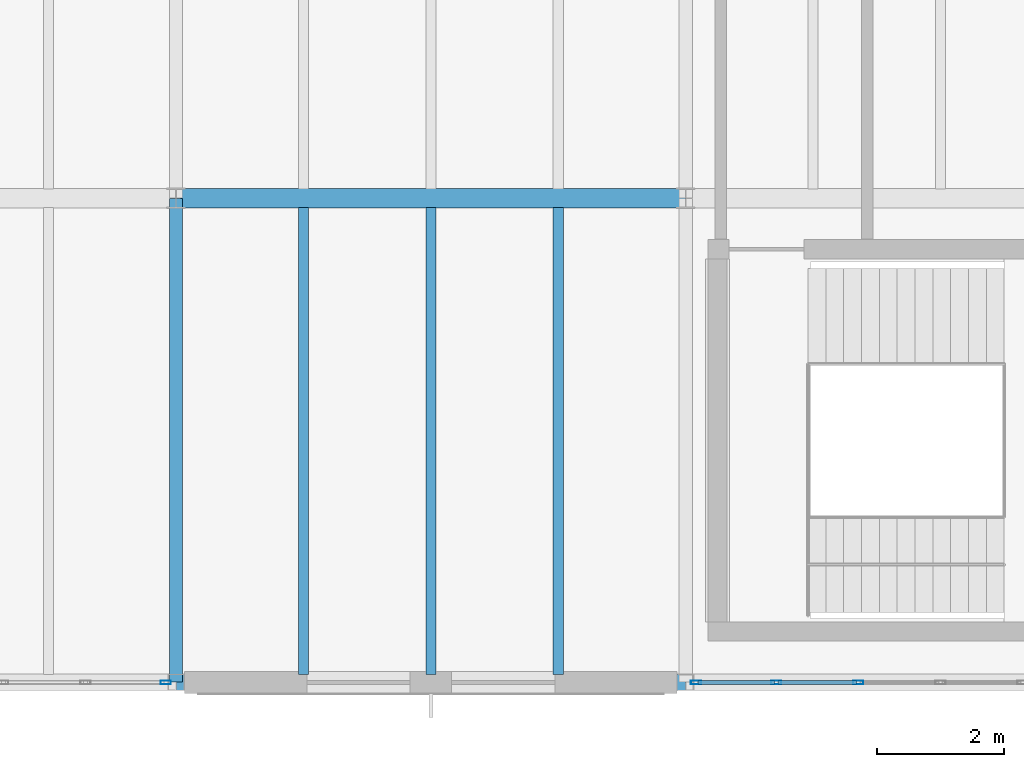
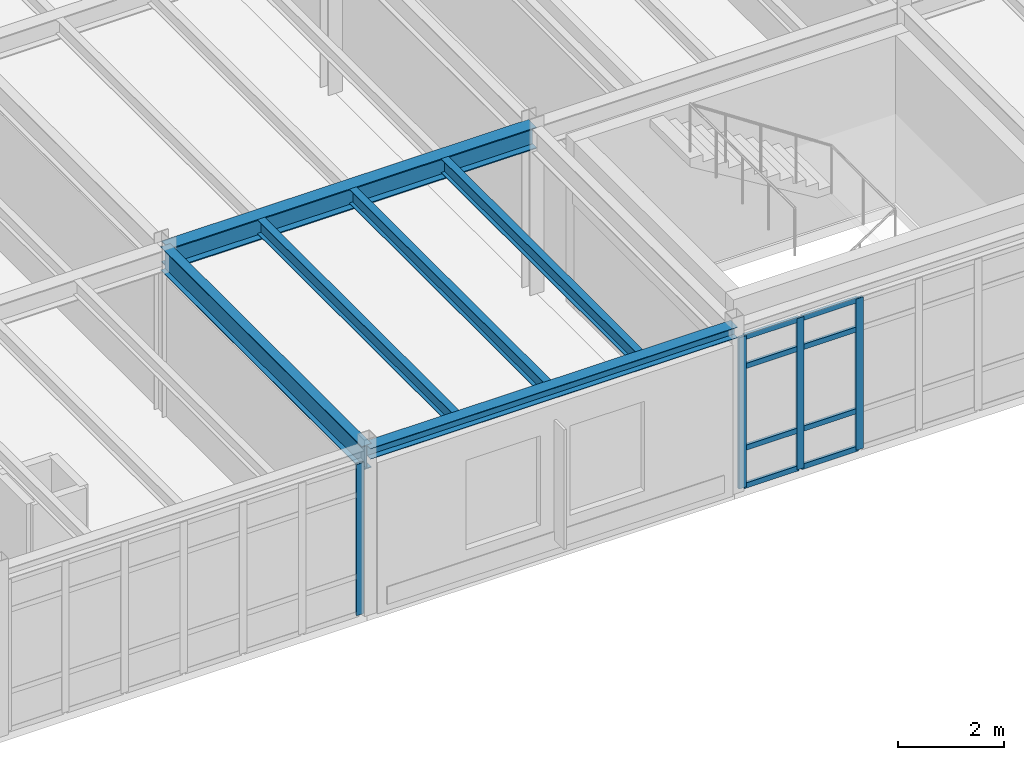
# One storey, part 112 of 189: 12 members, 6 beams, 2 elements without a shape of their own.
"""IFC4 building model written with IfcOpenShell, lengths in metres."""

import ifcopenshell
import ifcopenshell.guid

model = None  # the IFC model being written
_history = None  # IfcOwnerHistory: only IFC2X3 demands one
_inside = {}  # id of a spatial element -> (the spatial element, [elements in it])
_under = {}  # id of a project, library or spatial element -> (it, [spatial elements below it])
_declared = {}  # id of a project -> (the project, [libraries it declares])
_typed = {}  # id of a type object -> (the type object, [elements of that type])
_made_of = {}  # id of a material, layer set ... -> (it, [elements and type objects made of it])


def new_model(schema):
    """Start an empty IFC model of exactly this schema.

    Asked for "IFC4X3", IfcOpenShell would pick the latest addendum, in which some entities
    have other attributes; the version numbers below select the first issue.
    IFC2X3 requires an IfcOwnerHistory on every rooted entity: one is made here for all.
    """
    global model, _history
    if schema == "IFC4X3":
        model = ifcopenshell.file(schema_version=(4, 3, 0, 0))
    else:
        model = ifcopenshell.file(schema=schema)
    _inside.clear()
    _under.clear()
    _declared.clear()
    _typed.clear()
    _made_of.clear()
    _history = None
    if model.schema == "IFC2X3":
        org = make("IfcOrganization", Name="unknown")
        user = make(
            "IfcPersonAndOrganization",
            ThePerson=make("IfcPerson", FamilyName="unknown"),
            TheOrganization=org,
        )
        app = make(
            "IfcApplication",
            ApplicationDeveloper=org,
            Version="unknown",
            ApplicationFullName="unknown",
            ApplicationIdentifier="unknown",
        )
        _history = make(
            "IfcOwnerHistory",
            OwningUser=user,
            OwningApplication=app,
            ChangeAction="ADDED",
            CreationDate=0,
        )
    return model


def make(cls, **values):
    """One entity of the class cls with the attributes given. An attribute that is None is left unset."""
    return model.create_entity(
        cls, **{name: value for name, value in values.items() if value is not None}
    )


def rooted(cls, **values):
    """An entity with a GlobalId (a new one), such as an element, a storey or a relation."""
    return make(cls, GlobalId=ifcopenshell.guid.new(), OwnerHistory=_history, **values)


def si_unit(unit_type, name, prefix=None):
    """IfcSIUnit, for example si_unit("LENGTHUNIT", "METRE", prefix="MILLI")."""
    return make("IfcSIUnit", UnitType=unit_type, Prefix=prefix, Name=name)


def assignment(units):
    """IfcUnitAssignment: the units of a project."""
    return None if units is None else make("IfcUnitAssignment", Units=units)


def point(xyz):
    """IfcCartesianPoint."""
    return None if xyz is None else make("IfcCartesianPoint", Coordinates=xyz)


def direction(xyz):
    """IfcDirection."""
    return None if xyz is None else make("IfcDirection", DirectionRatios=xyz)


def frame(location, z_axis=None, x_axis=None):
    """IfcAxis2Placement3D, a coordinate frame: its origin and axes. An axis left out is left unset."""
    return make(
        "IfcAxis2Placement3D",
        Location=point(location),
        Axis=direction(z_axis),
        RefDirection=direction(x_axis),
    )


def frame_2d(location, x_axis=None):
    """IfcAxis2Placement2D, a coordinate frame in the plane: its origin and x axis."""
    return make(
        "IfcAxis2Placement2D", Location=point(location), RefDirection=direction(x_axis)
    )


def origin():
    """The frame at (0, 0, 0) with its axes left unset."""
    return frame((0.0, 0.0, 0.0))


def origin_2d():
    """The frame at (0, 0) in the plane with its x axis left unset."""
    return frame_2d((0.0, 0.0))


def place(relative_to, where):
    """IfcLocalPlacement: puts the frame where relative to a parent placement (None: the world)."""
    return make(
        "IfcLocalPlacement", PlacementRelTo=relative_to, RelativePlacement=where
    )


def context(
    kind, dimensions, precision=None, world=None, true_north=None, identifier=None
):
    """IfcGeometricRepresentationContext, for example the 3D "Model" context."""
    return make(
        "IfcGeometricRepresentationContext",
        ContextIdentifier=identifier,
        ContextType=kind,
        CoordinateSpaceDimension=dimensions,
        Precision=precision,
        WorldCoordinateSystem=world,
        TrueNorth=true_north,
    )


def subcontext(parent, identifier, kind, view, scale=None):
    """IfcGeometricRepresentationSubContext, for example "Body" below "Model"."""
    return make(
        "IfcGeometricRepresentationSubContext",
        ContextIdentifier=identifier,
        ContextType=kind,
        ParentContext=parent,
        TargetScale=scale,
        TargetView=view,
    )


def project(units=None, contexts=None):
    """IfcProject with its units and contexts."""
    return rooted(
        "IfcProject",
        Name="project",
        RepresentationContexts=contexts,
        UnitsInContext=assignment(units),
    )


def spatial(cls, under=None, at=None, **own):
    """A site, building, storey or space (cls), placed at a placement, below another one or the project."""
    s = rooted(cls, ObjectPlacement=at, **own)
    if under is not None:
        _under.setdefault(under.id(), (under, []))[1].append(s)
    return s


def profile(cls, at=None, kind="AREA", **sizes):
    """A parametric profile (cls). Its sizes go by their IFC names, for example OverallWidth=200.0."""
    return make(cls, ProfileType=kind, Position=at, **sizes)


def hollow_rectangle(**sizes):
    """IfcRectangleHollowProfileDef."""
    return profile("IfcRectangleHollowProfileDef", **sizes)


def i_section(**sizes):
    """IfcIShapeProfileDef."""
    return profile("IfcIShapeProfileDef", **sizes)


def extrude(swept, where, along, depth):
    """IfcExtrudedAreaSolid: the profile swept, set in the frame where, extruded along a direction by depth."""
    return make(
        "IfcExtrudedAreaSolid",
        SweptArea=swept,
        Position=where,
        ExtrudedDirection=direction(along),
        Depth=depth,
    )


def shape(context_of_items, identifier, shape_type, items):
    """IfcShapeRepresentation: the items that make up one representation, for example the "Body"."""
    return make(
        "IfcShapeRepresentation",
        ContextOfItems=context_of_items,
        RepresentationIdentifier=identifier,
        RepresentationType=shape_type,
        Items=items,
    )


def material(Name=None, Category=None):
    """IfcMaterial."""
    return make("IfcMaterial", Name=Name, Category=Category)


def layer(
    of_material, thickness, ventilated=None, Name=None, Category=None, Priority=None
):
    """IfcMaterialLayer: one layer of a wall or slab, of a material (None: an air gap)."""
    return make(
        "IfcMaterialLayer",
        Material=of_material,
        LayerThickness=thickness,
        IsVentilated=ventilated,
        Name=Name,
        Category=Category,
        Priority=Priority,
    )


def layer_set(layers, Name=None):
    """IfcMaterialLayerSet."""
    return make("IfcMaterialLayerSet", MaterialLayers=layers, LayerSetName=Name)


def material_profile(
    of_material, cross_section, Name=None, Category=None, Priority=None
):
    """IfcMaterialProfile: a cross section and its material."""
    return make(
        "IfcMaterialProfile",
        Name=Name,
        Material=of_material,
        Profile=cross_section,
        Priority=Priority,
        Category=Category,
    )


def profile_set(profiles, Name=None, composite=None):
    """IfcMaterialProfileSet."""
    return make(
        "IfcMaterialProfileSet",
        Name=Name,
        MaterialProfiles=profiles,
        CompositeProfile=composite,
    )


def made_of(thing, what):
    """Note that an element or type object is made of a material, layer set ...; save() writes the relation."""
    if what is not None:
        _made_of.setdefault(what.id(), (what, []))[1].append(thing)
    return thing


def type_object(cls, material=None, **own):
    """A type object (cls), such as IfcWallType, which elements share."""
    return made_of(rooted(cls, **own), material)


def element(
    cls,
    number,
    at=None,
    inside=None,
    cuts=None,
    type_object=None,
    material=None,
    context=None,
    identifier="Body",
    shape_type=None,
    held_by="IfcProductDefinitionShape",
    body=None,
    shapes=None,
    **own,
):
    """One element of the class cls, such as IfcWall. Its Tag is "e" and its number.

    at: its placement. inside: the storey or other place that contains it. cuts: it is an
    opening in that element (IfcRelVoidsElement). A single representation is given by context,
    identifier, shape_type and body (its items); several are given by shapes. held_by: the class
    of the entity that holds the representations. save() writes the other relations.
    """
    e = rooted(cls, Tag="e%d" % number, ObjectPlacement=at, **own)
    if body is not None:
        shapes = [shape(context, identifier, shape_type, body)]
    if shapes is not None:
        e.Representation = make(held_by, Representations=shapes)
    if inside is not None:
        _inside.setdefault(inside.id(), (inside, []))[1].append(e)
    if cuts is not None:
        rooted(
            "IfcRelVoidsElement", RelatingBuildingElement=cuts, RelatedOpeningElement=e
        )
    if type_object is not None:
        _typed.setdefault(type_object.id(), (type_object, []))[1].append(e)
    return made_of(e, material)


def aggregate(whole, parts):
    """IfcRelAggregates: a whole, such as a stair, and the parts it consists of."""
    return rooted("IfcRelAggregates", RelatingObject=whole, RelatedObjects=parts)


def save(model, path):
    """Write the relations noted so far, then the file.

    IfcRelAggregates (storeys below a building ...), IfcRelContainedInSpatialStructure (elements
    in a storey), IfcRelDefinesByType, IfcRelAssociatesMaterial and IfcRelDeclares: one each for
    every whole, place, type object, material and project.
    """
    for whole, parts in _under.values():
        aggregate(whole, parts)
    for where, things in _inside.values():
        rooted(
            "IfcRelContainedInSpatialStructure",
            RelatedElements=things,
            RelatingStructure=where,
        )
    for kind, things in _typed.values():
        rooted("IfcRelDefinesByType", RelatedObjects=things, RelatingType=kind)
    for what, things in _made_of.values():
        rooted("IfcRelAssociatesMaterial", RelatedObjects=things, RelatingMaterial=what)
    for by, libraries in _declared.values():
        rooted("IfcRelDeclares", RelatingContext=by, RelatedDefinitions=libraries)
    model.write(path)


model = new_model("IFC4")

# Units and contexts
model_context = context("Model", 3, precision=1e-05, world=origin(), true_north=direction((0.0, 1.0)))
body_context = subcontext(model_context, "Body", "Model", "MODEL_VIEW")
ifc_project = project(units=[si_unit("LENGTHUNIT", "METRE"), si_unit("AREAUNIT", "SQUARE_METRE"), si_unit("VOLUMEUNIT", "CUBIC_METRE"), si_unit("PLANEANGLEUNIT", "RADIAN"), si_unit("MASSUNIT", "GRAM", prefix="KILO")], contexts=[model_context])

# Site, building, storey
site_placement = place(None, origin())
site = spatial("IfcSite", under=ifc_project, at=site_placement, CompositionType="ELEMENT")
building_placement = place(site_placement, origin())
building = spatial("IfcBuilding", under=site, at=building_placement, Name="Montecoro Central Library", CompositionType="ELEMENT")
storey_placement = place(building_placement, frame((0.0, 0.0, 9.179931640625)))
storey = spatial("IfcBuildingStorey", under=building, at=storey_placement, Name="L02", CompositionType="ELEMENT", Elevation=9.179931640625)

# Beams
ifc_material_1 = material(Name="Steel S355J2", Category="steel")
ifc_material_profile_1 = material_profile(ifc_material_1, i_section(OverallWidth=0.300048828125, OverallDepth=0.489990234375, WebThickness=0.011962890625, FlangeThickness=0.02294921875, at=origin_2d()), Name="HEA 500")
ifc_profile_set_1 = profile_set([ifc_material_profile_1], Name="Steel S355J2")
beam_type_1 = type_object("IfcBeamType", Name="BM-G-HEA500", PredefinedType="USERDEFINED", material=ifc_profile_set_1)
beam_1_placement = place(storey_placement, frame((149.0048828125, 12.60009765625, 3.580078125), z_axis=(1.0, 0.0, 0.0), x_axis=(0.0, 1.0, 0.0)))
element("IfcBeam", 1, at=beam_1_placement, inside=storey, type_object=beam_type_1, Name="V6-L02-BX-1920-B", ObjectType="GIRDER", PredefinedType="USERDEFINED", context=body_context, shape_type="SweptSolid", body=[
    extrude(i_section(OverallWidth=0.300048828125, OverallDepth=0.489990234375, WebThickness=0.011962890625, FlangeThickness=0.02294921875, at=origin_2d()), origin(), (0.0, 0.0, 1.0), 7.990234375),
])
ifc_material_profile_2 = material_profile(ifc_material_1, i_section(OverallWidth=0.2099609375, OverallDepth=0.550048828125, WebThickness=0.010986328125, FlangeThickness=0.01708984375, at=origin_2d()), Name="IPE 550")
ifc_profile_set_2 = profile_set([ifc_material_profile_2], Name="Steel S355J2")
beam_type_2 = type_object("IfcBeamType", Name="BM-G-IPE550", PredefinedType="USERDEFINED", material=ifc_profile_set_2)
beam_2_placement = place(storey_placement, frame((149.0, 5.0048828125, 3.550048828125), z_axis=(0.0, 1.0, 0.0), x_axis=(-1.0, 0.0, 0.0)))
element("IfcBeam", 2, at=beam_2_placement, inside=storey, type_object=beam_type_2, Name="V6-L02-BY-19-AB", ObjectType="GIRDER", PredefinedType="USERDEFINED", context=body_context, shape_type="SweptSolid", body=[
    extrude(i_section(OverallWidth=0.2099609375, OverallDepth=0.550048828125, WebThickness=0.010986328125, FlangeThickness=0.01708984375, at=origin_2d()), origin(), (0.0, 0.0, 1.0), 7.590087890625),
])
ifc_material_2 = material(Name="Steel S355", Category="steel")
ifc_material_profile_3 = material_profile(ifc_material_2, i_section(OverallWidth=0.159912109375, OverallDepth=0.330078125, WebThickness=0.007568359375, FlangeThickness=0.011474609375, at=origin_2d()), Name="IPE 330")
ifc_profile_set_3 = profile_set([ifc_material_profile_3], Name="Steel S355")
beam_type_3 = type_object("IfcBeamType", Name="BM-J-IPE330", PredefinedType="JOIST", material=ifc_profile_set_3)
for number, where, z_axis, x_axis, name in (
    (3, (151.0, 5.126953125, 3.66015625), (0.0, 1.0, 0.0), (-1.0, 0.0, 0.0), "V6-L02-JS-1920-AB-1"),
    (4, (153.0, 5.126953125, 3.66015625), (0.0, 1.0, 0.0), (-1.0, 0.0, 0.0), "V6-L02-JS-1920-AB-2"),
    (5, (155.0, 5.126953125, 3.66015625), (0.0, 1.0, 0.0), (-1.0, 0.0, 0.0), "V6-L02-JS-1920-AB-3"),
):
    element("IfcBeam", number, at=place(storey_placement, frame(where, z_axis=z_axis, x_axis=x_axis)), inside=storey, type_object=beam_type_3, Name=name, PredefinedType="JOIST", context=body_context, shape_type="SweptSolid", body=[
        extrude(i_section(OverallWidth=0.159912109375, OverallDepth=0.330078125, WebThickness=0.007568359375, FlangeThickness=0.011474609375, at=origin_2d()), origin(), (0.0, 0.0, 1.0), 7.325927734375),
    ])
ifc_material_profile_4 = material_profile(ifc_material_2, i_section(OverallWidth=0.260009765625, OverallDepth=0.25, WebThickness=0.007568359375, FlangeThickness=0.012451171875, at=origin_2d()), Name="HEA 260")
ifc_profile_set_4 = profile_set([ifc_material_profile_4], Name="Steel S355")
beam_type_4 = type_object("IfcBeamType", Name="BM-SP-HEA260", PredefinedType="SPANDREL", material=ifc_profile_set_4)
beam_3_placement = place(storey_placement, frame((149.0048828125, 5.0, 3.699951171875), z_axis=(1.0, 0.0, 0.0), x_axis=(0.0, 1.0, 0.0)))
element("IfcBeam", 6, at=beam_3_placement, inside=storey, type_object=beam_type_4, Name="V6-L02-BX-1920-A", PredefinedType="SPANDREL", context=body_context, shape_type="SweptSolid", body=[
    extrude(i_section(OverallWidth=0.260009765625, OverallDepth=0.25, WebThickness=0.007568359375, FlangeThickness=0.012451171875, at=origin_2d()), origin(), (0.0, 0.0, 1.0), 7.990234375),
])

# Curtain wall, member
ifc_material_3 = material(Name="Bronze-anodised aluminium and low-E glazing", Category="aluminium")
ifc_layer = layer(ifc_material_3, 0.159912109375)
ifc_layer_set = layer_set([ifc_layer], Name="Bronze-anodised aluminium and low-E glazing")
curtain_wall_type = type_object("IfcCurtainWallType", Name="CWT-064", PredefinedType="NOTDEFINED", material=ifc_layer_set)
curtain_wall_1_placement = place(storey_placement, origin())
curtain_wall_1 = element("IfcCurtainWall", 7, at=curtain_wall_1_placement, inside=storey, type_object=curtain_wall_type, Name="V6-L02-CW-S0", PredefinedType="NOTDEFINED")
ifc_material_4 = material(Name="Bronze-anodised aluminium", Category="aluminium")
ifc_material_profile_5 = material_profile(ifc_material_4, hollow_rectangle(XDim=0.06005859375, YDim=0.159912109375, WallThickness=0.00390625, at=origin_2d()), Name="CWM 160x60x4.0")
ifc_profile_set_5 = profile_set([ifc_material_profile_5], Name="Bronze-anodised aluminium")
member_type_1 = type_object("IfcMemberType", Name="CWM-BRZ-60", PredefinedType="MULLION", material=ifc_profile_set_5)
member_1_placement = place(storey_placement, frame((148.8369140625, 5.0, 0.0), z_axis=(0.0, 0.0, 1.0), x_axis=(0.0, 1.0, 0.0)))
member_1 = element("IfcMember", 8, at=member_1_placement, type_object=member_type_1, Name="CW-064 mullion 7", PredefinedType="MULLION", context=body_context, shape_type="SweptSolid", body=[
    extrude(hollow_rectangle(XDim=0.06005859375, YDim=0.159912109375, WallThickness=0.00390625, at=origin_2d()), origin(), (0.0, 0.0, 1.0), 3.47998046875),
])
aggregate(curtain_wall_1, [member_1])

# Curtain wall, members
curtain_wall_2_placement = place(storey_placement, origin())
curtain_wall_2 = element("IfcCurtainWall", 9, at=curtain_wall_2_placement, inside=storey, type_object=curtain_wall_type, Name="V6-L02-CW-S2", PredefinedType="NOTDEFINED")
member_2_placement = place(storey_placement, frame((157.1630859375, 5.0, 0.0), z_axis=(0.0, 0.0, 1.0), x_axis=(0.0, 1.0, 0.0)))
member_2 = element("IfcMember", 10, at=member_2_placement, type_object=member_type_1, Name="CW-064 mullion 1", PredefinedType="MULLION", context=body_context, shape_type="SweptSolid", body=[
    extrude(hollow_rectangle(XDim=0.06005859375, YDim=0.159912109375, WallThickness=0.00390625, at=origin_2d()), origin(), (0.0, 0.0, 1.0), 3.47998046875),
])
member_3_placement = place(storey_placement, frame((158.422119140625, 5.0, 0.0), z_axis=(0.0, 0.0, 1.0), x_axis=(0.0, 1.0, 0.0)))
member_3 = element("IfcMember", 11, at=member_3_placement, type_object=member_type_1, Name="CW-064 mullion 2", PredefinedType="MULLION", context=body_context, shape_type="SweptSolid", body=[
    extrude(hollow_rectangle(XDim=0.06005859375, YDim=0.159912109375, WallThickness=0.00390625, at=origin_2d()), origin(), (0.0, 0.0, 1.0), 3.47998046875),
])
member_4_placement = place(storey_placement, frame((159.7109375, 5.0, 0.0), z_axis=(0.0, 0.0, 1.0), x_axis=(0.0, 1.0, 0.0)))
member_4 = element("IfcMember", 12, at=member_4_placement, type_object=member_type_1, Name="CW-064 mullion 3", PredefinedType="MULLION", context=body_context, shape_type="SweptSolid", body=[
    extrude(hollow_rectangle(XDim=0.06005859375, YDim=0.159912109375, WallThickness=0.00390625, at=origin_2d()), origin(), (0.0, 0.0, 1.0), 3.47998046875),
])
ifc_material_profile_6 = material_profile(ifc_material_4, hollow_rectangle(XDim=0.06005859375, YDim=0.1201171875, WallThickness=0.00390625, at=origin_2d()), Name="CWT 120x60x4.0")
ifc_profile_set_6 = profile_set([ifc_material_profile_6], Name="Bronze-anodised aluminium")
member_type_2 = type_object("IfcMemberType", Name="CWT-BRZ-60", PredefinedType="USERDEFINED", material=ifc_profile_set_6)
member_5_placement = place(storey_placement, frame((157.193115234375, 5.0, 0.030029296875), z_axis=(1.0, 0.0, 0.0), x_axis=(0.0, 1.0, 0.0)))
member_5 = element("IfcMember", 13, at=member_5_placement, type_object=member_type_2, Name="CW-064 transom 1.1", ObjectType="TRANSOM", PredefinedType="USERDEFINED", context=body_context, shape_type="SweptSolid", body=[
    extrude(hollow_rectangle(XDim=0.06005859375, YDim=0.1201171875, WallThickness=0.00390625, at=origin_2d()), origin(), (0.0, 0.0, 1.0), 1.198974609375),
])
member_6_placement = place(storey_placement, frame((157.193115234375, 5.0, 0.900146484375), z_axis=(1.0, 0.0, 0.0), x_axis=(0.0, 1.0, 0.0)))
member_6 = element("IfcMember", 14, at=member_6_placement, type_object=member_type_2, Name="CW-064 transom 1.2", ObjectType="TRANSOM", PredefinedType="USERDEFINED", context=body_context, shape_type="SweptSolid", body=[
    extrude(hollow_rectangle(XDim=0.06005859375, YDim=0.1201171875, WallThickness=0.00390625, at=origin_2d()), origin(), (0.0, 0.0, 1.0), 1.198974609375),
])
member_7_placement = place(storey_placement, frame((157.193115234375, 5.0, 2.780029296875), z_axis=(1.0, 0.0, 0.0), x_axis=(0.0, 1.0, 0.0)))
member_7 = element("IfcMember", 15, at=member_7_placement, type_object=member_type_2, Name="CW-064 transom 1.3", ObjectType="TRANSOM", PredefinedType="USERDEFINED", context=body_context, shape_type="SweptSolid", body=[
    extrude(hollow_rectangle(XDim=0.06005859375, YDim=0.1201171875, WallThickness=0.00390625, at=origin_2d()), origin(), (0.0, 0.0, 1.0), 1.198974609375),
])
member_8_placement = place(storey_placement, frame((157.193115234375, 5.0, 3.449951171875), z_axis=(1.0, 0.0, 0.0), x_axis=(0.0, 1.0, 0.0)))
member_8 = element("IfcMember", 16, at=member_8_placement, type_object=member_type_2, Name="CW-064 transom 1.4", ObjectType="TRANSOM", PredefinedType="USERDEFINED", context=body_context, shape_type="SweptSolid", body=[
    extrude(hollow_rectangle(XDim=0.06005859375, YDim=0.1201171875, WallThickness=0.00390625, at=origin_2d()), origin(), (0.0, 0.0, 1.0), 1.198974609375),
])
member_9_placement = place(storey_placement, frame((158.451904296875, 5.0, 0.030029296875), z_axis=(1.0, 0.0, 0.0), x_axis=(0.0, 1.0, 0.0)))
member_9 = element("IfcMember", 17, at=member_9_placement, type_object=member_type_2, Name="CW-064 transom 2.1", ObjectType="TRANSOM", PredefinedType="USERDEFINED", context=body_context, shape_type="SweptSolid", body=[
    extrude(hollow_rectangle(XDim=0.06005859375, YDim=0.1201171875, WallThickness=0.00390625, at=origin_2d()), origin(), (0.0, 0.0, 1.0), 1.22900390625),
])
member_10_placement = place(storey_placement, frame((158.451904296875, 5.0, 0.900146484375), z_axis=(1.0, 0.0, 0.0), x_axis=(0.0, 1.0, 0.0)))
member_10 = element("IfcMember", 18, at=member_10_placement, type_object=member_type_2, Name="CW-064 transom 2.2", ObjectType="TRANSOM", PredefinedType="USERDEFINED", context=body_context, shape_type="SweptSolid", body=[
    extrude(hollow_rectangle(XDim=0.06005859375, YDim=0.1201171875, WallThickness=0.00390625, at=origin_2d()), origin(), (0.0, 0.0, 1.0), 1.22900390625),
])
member_11_placement = place(storey_placement, frame((158.451904296875, 5.0, 2.780029296875), z_axis=(1.0, 0.0, 0.0), x_axis=(0.0, 1.0, 0.0)))
member_11 = element("IfcMember", 19, at=member_11_placement, type_object=member_type_2, Name="CW-064 transom 2.3", ObjectType="TRANSOM", PredefinedType="USERDEFINED", context=body_context, shape_type="SweptSolid", body=[
    extrude(hollow_rectangle(XDim=0.06005859375, YDim=0.1201171875, WallThickness=0.00390625, at=origin_2d()), origin(), (0.0, 0.0, 1.0), 1.22900390625),
])
member_12_placement = place(storey_placement, frame((158.451904296875, 5.0, 3.449951171875), z_axis=(1.0, 0.0, 0.0), x_axis=(0.0, 1.0, 0.0)))
member_12 = element("IfcMember", 20, at=member_12_placement, type_object=member_type_2, Name="CW-064 transom 2.4", ObjectType="TRANSOM", PredefinedType="USERDEFINED", context=body_context, shape_type="SweptSolid", body=[
    extrude(hollow_rectangle(XDim=0.06005859375, YDim=0.1201171875, WallThickness=0.00390625, at=origin_2d()), origin(), (0.0, 0.0, 1.0), 1.22900390625),
])
aggregate(curtain_wall_2, [member_2, member_3, member_4, member_5, member_6, member_7, member_8, member_9, member_10, member_11, member_12])

save(model, "model.ifc")
